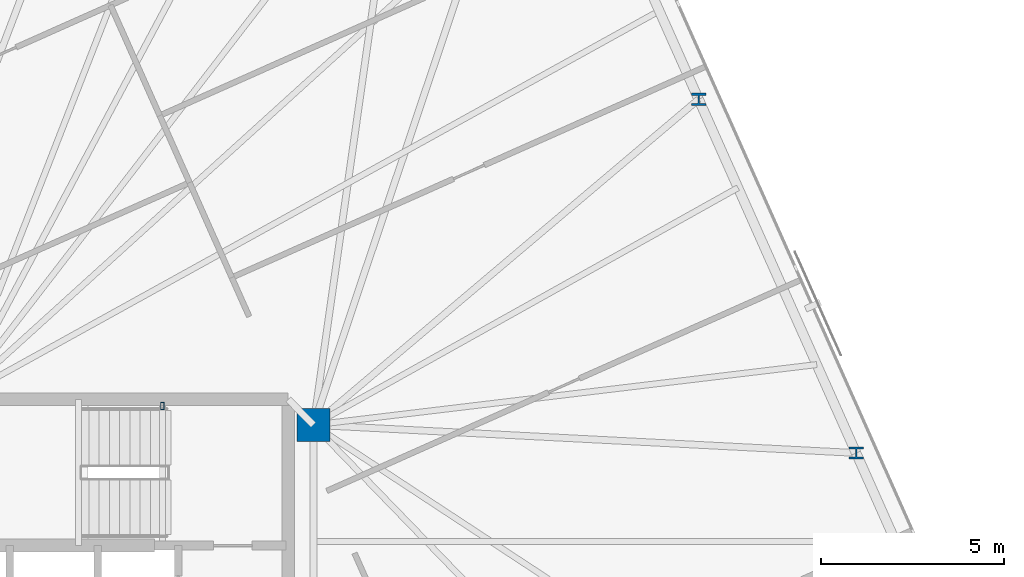
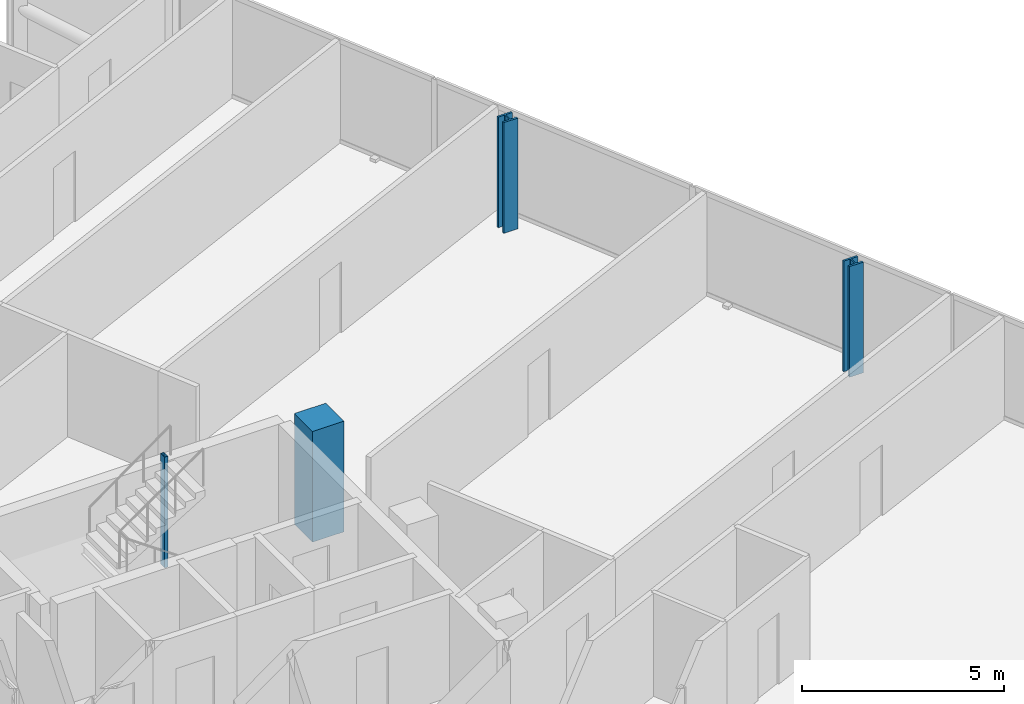
# One storey, part 3 of 19: 4 columns.
"""IFC4 building model written with IfcOpenShell, lengths in metres."""

from ifc_helpers import new_model, si_unit, direction, frame, origin, origin_2d, place, context, subcontext, project, spatial, rectangle, hollow_rectangle, i_section, extrude, material, material_profile, profile_set, type_object, element, save


model = new_model("IFC4")

# Units and contexts
model_context = context("Model", 3, precision=1e-05, world=origin(), true_north=direction((0.0, 1.0)))
body_context = subcontext(model_context, "Body", "Model", "MODEL_VIEW")
ifc_project = project(units=[si_unit("LENGTHUNIT", "METRE"), si_unit("AREAUNIT", "SQUARE_METRE"), si_unit("VOLUMEUNIT", "CUBIC_METRE"), si_unit("PLANEANGLEUNIT", "RADIAN"), si_unit("MASSUNIT", "GRAM", prefix="KILO")], contexts=[model_context])

# Site, building, storey
site_placement = place(None, origin())
site = spatial("IfcSite", under=ifc_project, at=site_placement, CompositionType="ELEMENT")
building_placement = place(site_placement, origin())
building = spatial("IfcBuilding", under=site, at=building_placement, Name="Menara Jurai Vektor", CompositionType="ELEMENT")
storey_placement = place(building_placement, frame((0.0, 0.0, 291.949951171875)))
storey = spatial("IfcBuildingStorey", under=building, at=storey_placement, Name="L78", CompositionType="ELEMENT", Elevation=291.949951171875)

# Columns
ifc_material_1 = material(Name="Concrete C50/60", Category="concrete")
ifc_material_profile_1 = material_profile(ifc_material_1, rectangle(XDim=0.89990234375, YDim=0.89990234375, at=origin_2d()), Name="RC 900x900")
ifc_profile_set_1 = profile_set([ifc_material_profile_1], Name="Concrete C50/60")
column_type_1 = type_object("IfcColumnType", Name="STR-COL-RC900", PredefinedType="COLUMN", material=ifc_profile_set_1)
column_1_placement = place(storey_placement, frame((15.25, 4.89990234375, 0.0), z_axis=(0.0, 0.0, 1.0), x_axis=(1.0, 0.0, 0.0)))
element("IfcColumn", 1, at=column_1_placement, inside=storey, type_object=column_type_1, Name="Core Spine Column CE-NE L78", PredefinedType="COLUMN", context=body_context, shape_type="SweptSolid", body=[
    extrude(rectangle(XDim=0.89990234375, YDim=0.89990234375, at=origin_2d()), origin(), (0.0, 0.0, 1.0), 3.35009765625),
])
ifc_material_2 = material(Name="Steel S355", Category="steel")
ifc_material_profile_2 = material_profile(ifc_material_2, hollow_rectangle(XDim=0.10009765625, YDim=0.199951171875, WallThickness=0.008056640625, at=origin_2d()), Name="RHS 200x100x8")
ifc_profile_set_2 = profile_set([ifc_material_profile_2], Name="Steel S355")
column_type_2 = type_object("IfcColumnType", Name="STR-COL-STAIR", PredefinedType="COLUMN", material=ifc_profile_set_2)
column_2_placement = place(storey_placement, frame((11.1201171875, 5.419921875, 0.0), z_axis=(0.0, 0.0, 1.0), x_axis=(1.0, 0.0, 0.0)))
element("IfcColumn", 2, at=column_2_placement, inside=storey, type_object=column_type_2, Name="Stair Well Header Column ST2-P2 L78", PredefinedType="COLUMN", context=body_context, shape_type="SweptSolid", body=[
    extrude(hollow_rectangle(XDim=0.10009765625, YDim=0.199951171875, WallThickness=0.008056640625, at=origin_2d()), origin(), (0.0, 0.0, 1.0), 3.35009765625),
])
ifc_material_3 = material(Name="Steel S460", Category="steel")
ifc_material_profile_3 = material_profile(ifc_material_3, i_section(OverallWidth=0.40087890625, OverallDepth=0.3349609375, WebThickness=0.035888671875, FlangeThickness=0.05810546875, FilletRadius=0.014892578125, at=origin_2d()), Name="HD 400x463")
ifc_profile_set_3 = profile_set([ifc_material_profile_3], Name="Steel S460")
column_type_3 = type_object("IfcColumnType", Name="STR-EXO-BLK5", PredefinedType="COLUMN", material=ifc_profile_set_3)
for number, where, z_axis, x_axis, name in (
    (3, (30.086181640625, 4.13330078125, 0.0), (0.0, 0.0, 1.0), (1.0, 0.0, 0.0), "Exoskeleton Column BLK5-E2 L78"),
    (4, (25.781005859375, 13.80322265625, 0.0), (0.0, 0.0, 1.0), (1.0, 0.0, 0.0), "Exoskeleton Column BLK5-E3 L78"),
):
    element("IfcColumn", number, at=place(storey_placement, frame(where, z_axis=z_axis, x_axis=x_axis)), inside=storey, type_object=column_type_3, Name=name, PredefinedType="COLUMN", context=body_context, shape_type="SweptSolid", body=[
        extrude(i_section(OverallWidth=0.40087890625, OverallDepth=0.3349609375, WebThickness=0.035888671875, FlangeThickness=0.05810546875, FilletRadius=0.014892578125, at=origin_2d()), origin(), (0.0, 0.0, 1.0), 3.35009765625),
    ])

save(model, "model.ifc")
